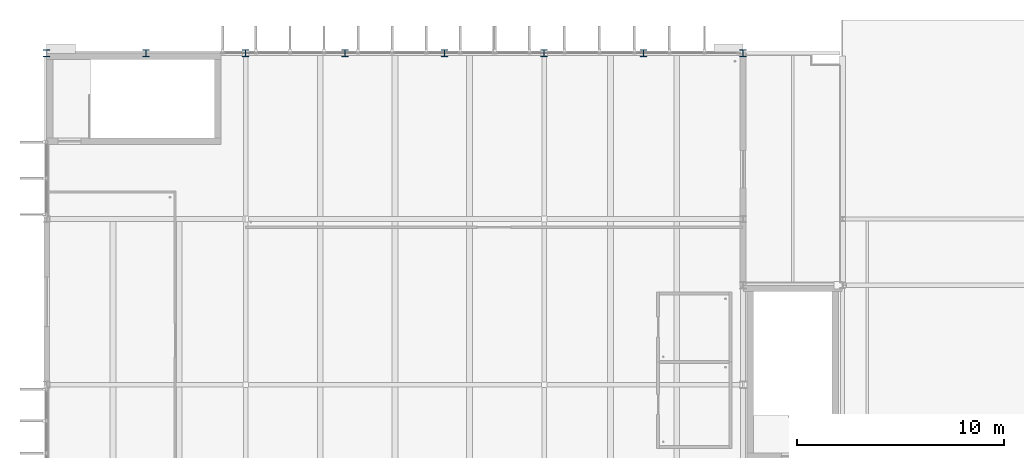
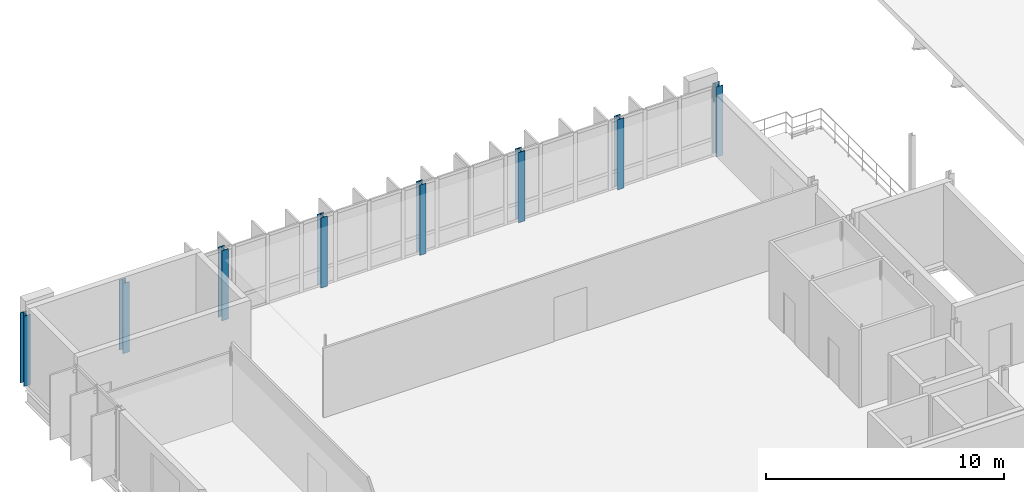
# One storey, part 3 of 22: 8 columns.
"""IFC4 building model written with IfcOpenShell, lengths in metres."""

from ifc_helpers import new_model, si_unit, direction, frame, origin, origin_2d, place, context, subcontext, project, spatial, i_section, extrude, material, material_profile, profile_set, type_object, element, save


model = new_model("IFC4")

# Units and contexts
model_context = context("Model", 3, precision=1e-05, world=origin(), true_north=direction((0.0, 1.0)))
body_context = subcontext(model_context, "Body", "Model", "MODEL_VIEW")
ifc_project = project(units=[si_unit("LENGTHUNIT", "METRE"), si_unit("AREAUNIT", "SQUARE_METRE"), si_unit("VOLUMEUNIT", "CUBIC_METRE"), si_unit("PLANEANGLEUNIT", "RADIAN"), si_unit("MASSUNIT", "GRAM", prefix="KILO")], contexts=[model_context])

# Site, building, storey
site_placement = place(None, origin())
site = spatial("IfcSite", under=ifc_project, at=site_placement, CompositionType="ELEMENT")
building_placement = place(site_placement, origin())
building = spatial("IfcBuilding", under=site, at=building_placement, Name="Dunescarp Central Library", CompositionType="ELEMENT")
storey_placement = place(building_placement, frame((0.0, 0.0, 27.60009765625)))
storey = spatial("IfcBuildingStorey", under=building, at=storey_placement, Name="L06", CompositionType="ELEMENT", Elevation=27.60009765625)

# Columns
ifc_material = material(Name="Steel S355JR", Category="steel")
ifc_material_profile = material_profile(ifc_material, i_section(OverallWidth=0.311279296875, OverallDepth=0.3271484375, WebThickness=0.015869140625, FlangeThickness=0.02490234375, at=origin_2d()), Name="UC 305x305x158")
ifc_profile_set = profile_set([ifc_material_profile], Name="Steel S355JR")
column_type = type_object("IfcColumnType", Name="STR-COL-UC305X158", PredefinedType="COLUMN", material=ifc_profile_set)
for number, where, z_axis, x_axis, name in (
    (1, (0.0, 36.800048828125, 0.0), (0.0, 0.0, 1.0), (1.0, 0.0, 0.0), "L06 column V1P-0-368"),
    (2, (4.800048828125, 36.800048828125, 0.0), (0.0, 0.0, 1.0), (1.0, 0.0, 0.0), "L06 column V1P-48-368"),
    (3, (9.60009765625, 36.800048828125, 0.0), (0.0, 0.0, 1.0), (1.0, 0.0, 0.0), "L06 column V1P-96-368"),
    (4, (14.39990234375, 36.800048828125, 0.0), (0.0, 0.0, 1.0), (1.0, 0.0, 0.0), "L06 column V1P-144-368"),
    (5, (19.199951171875, 36.800048828125, 0.0), (0.0, 0.0, 1.0), (1.0, 0.0, 0.0), "L06 column V1P-192-368"),
    (6, (24.0, 36.800048828125, 0.0), (0.0, 0.0, 1.0), (1.0, 0.0, 0.0), "L06 column V1P-240-368"),
    (7, (28.800048828125, 36.800048828125, 0.0), (0.0, 0.0, 1.0), (1.0, 0.0, 0.0), "L06 column V1P-288-368"),
    (8, (33.60009765625, 36.800048828125, 0.0), (0.0, 0.0, 1.0), (1.0, 0.0, 0.0), "L06 column V1P-336-368"),
):
    element("IfcColumn", number, at=place(storey_placement, frame(where, z_axis=z_axis, x_axis=x_axis)), inside=storey, type_object=column_type, Name=name, PredefinedType="COLUMN", context=body_context, shape_type="SweptSolid", body=[
        extrude(i_section(OverallWidth=0.311279296875, OverallDepth=0.3271484375, WebThickness=0.015869140625, FlangeThickness=0.02490234375, at=origin_2d()), origin(), (0.0, 0.0, 1.0), 3.599853515625),
    ])

save(model, "model.ifc")
